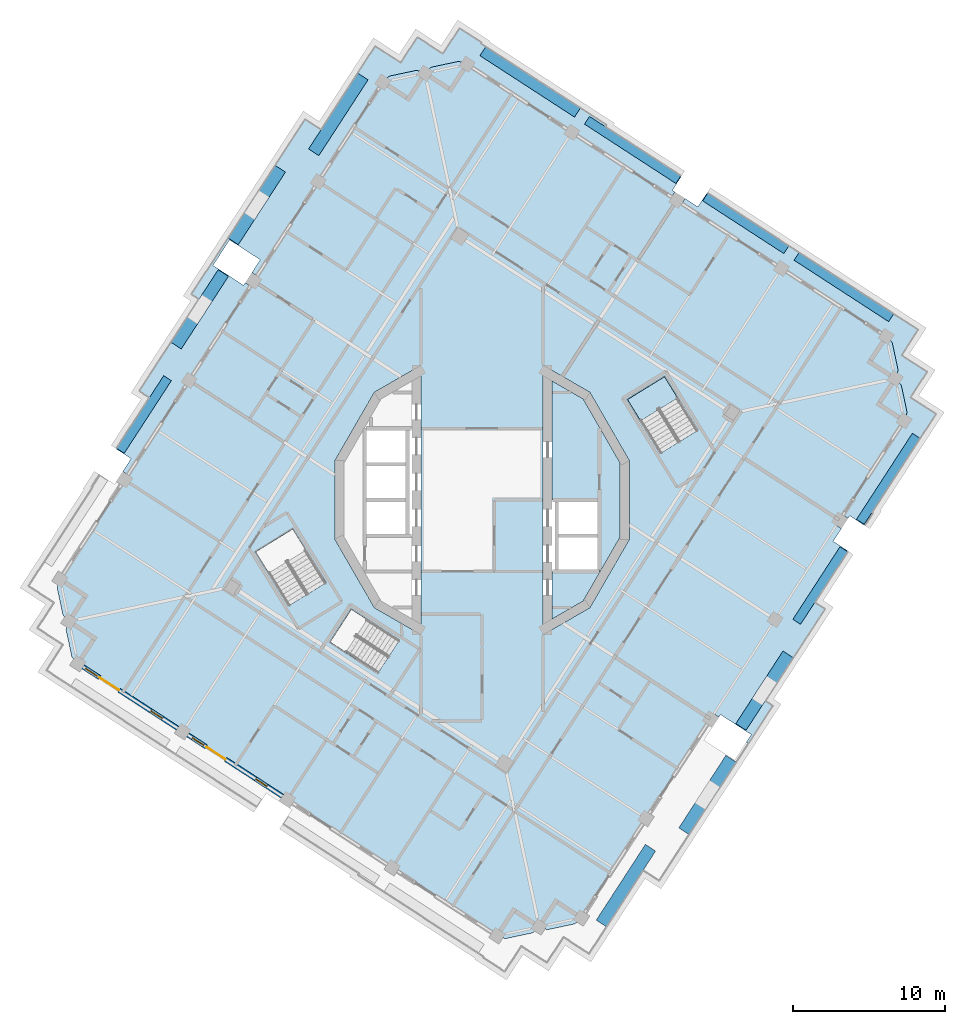
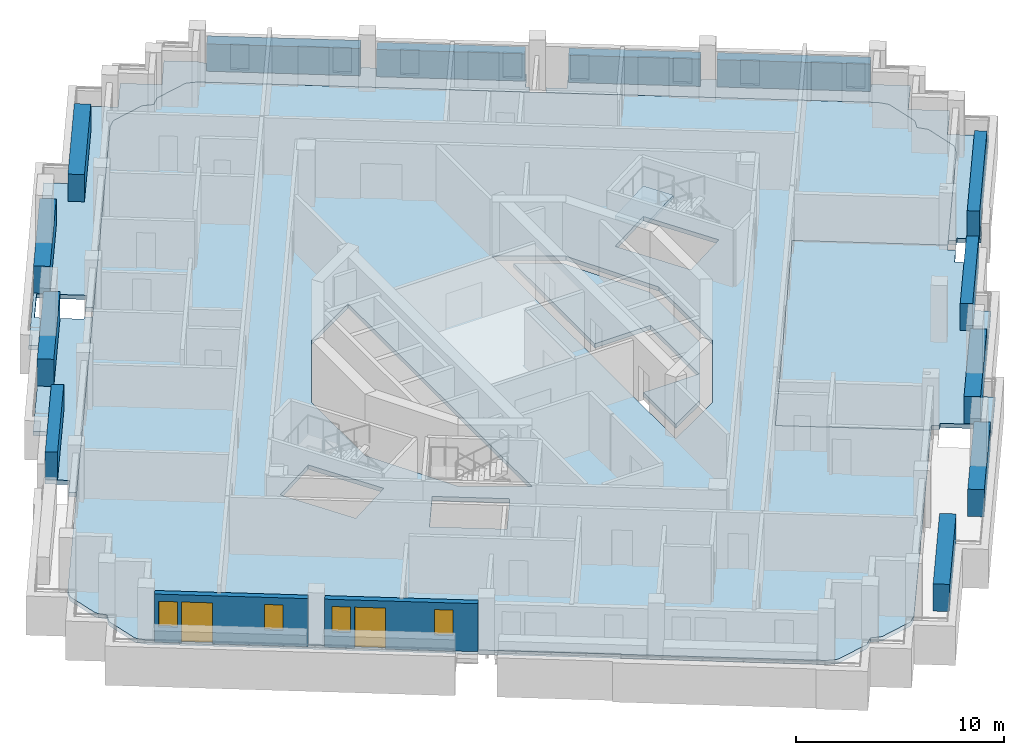
# One storey, part 3 of 15: 13 plates, 6 slabs, 4 windows, 2 doors, 2 walls, 6 openings, 1 element without a shape of its own.
"""IFC4 building model written with IfcOpenShell, lengths in metres."""

from ifc_helpers import new_model, si_unit, direction, frame, frame_2d, origin, origin_2d, place, context, subcontext, project, spatial, polyline, rectangle, outline, extrude, material, layer, layer_set, type_object, element, fill, aggregate, save


model = new_model("IFC4")

# Units and contexts
model_context = context("Model", 3, precision=1e-05, world=origin(), true_north=direction((0.0, 1.0)))
body_context = subcontext(model_context, "Body", "Model", "MODEL_VIEW")
ifc_project = project(units=[si_unit("LENGTHUNIT", "METRE"), si_unit("AREAUNIT", "SQUARE_METRE"), si_unit("VOLUMEUNIT", "CUBIC_METRE"), si_unit("PLANEANGLEUNIT", "RADIAN"), si_unit("MASSUNIT", "GRAM", prefix="KILO")], contexts=[model_context])

# Site, building, storey
site_placement = place(None, origin())
site = spatial("IfcSite", under=ifc_project, at=site_placement, CompositionType="ELEMENT")
building_placement = place(site_placement, origin())
building = spatial("IfcBuilding", under=site, at=building_placement, Name="Cantera Rosa Tower", CompositionType="ELEMENT")
storey_placement = place(building_placement, frame((0.0, 0.0, 261.300048828125)))
storey = spatial("IfcBuildingStorey", under=building, at=storey_placement, Name="L58", CompositionType="ELEMENT", Elevation=261.300048828125)

# Slabs
ifc_material_1 = material(Name="Concrete C35/45", Category="concrete")
ifc_layer_1 = layer(ifc_material_1, 0.25)
ifc_layer_set_1 = layer_set([ifc_layer_1], Name="COMPOSITE FLOOR SLAB 250 C35/45")
slab_type_1 = type_object("IfcSlabType", Name="COMPOSITE FLOOR SLAB 250 C35/45", PredefinedType="FLOOR", material=ifc_layer_set_1)
slab_1_placement = place(storey_placement, frame((0.0, 0.0, -0.25)))
element("IfcSlab", 1, at=slab_1_placement, inside=storey, type_object=slab_type_1, Name="SLAB L58 floor 2", PredefinedType="FLOOR", context=body_context, shape_type="SweptSolid", body=[
    extrude(outline(polyline([(0.106689453125, -28.030029296875), (-25.650146484375, -11.303466796875), (-26.52587890625, -10.734619140625), (-26.852783203125, -10.396240234375), (-26.873046875, -10.374755859375), (-26.890869140625, -10.351318359375), (-26.90625, -10.326416015625), (-26.919189453125, -10.2998046875), (-26.929443359375, -10.272216796875), (-26.93701171875, -10.243896484375), (-27.289794921875, -8.583740234375), (-27.294677734375, -8.5546875), (-27.29638671875, -8.525390625), (-27.29541015625, -8.49609375), (-27.29150390625, -8.466796875), (-27.28466796875, -8.43798828125), (-27.275146484375, -8.410400390625), (-27.114013671875, -7.968017578125), (-27.44091796875, -7.629638671875), (-27.461181640625, -7.608154296875), (-27.47900390625, -7.584716796875), (-27.494384765625, -7.559814453125), (-27.50732421875, -7.533203125), (-27.517578125, -7.505615234375), (-27.525146484375, -7.477294921875), (-27.8779296875, -5.817138671875), (-27.882568359375, -5.7880859375), (-27.884521484375, -5.7587890625), (-27.88330078125, -5.729248046875), (-27.87939453125, -5.7001953125), (-27.872802734375, -5.67138671875), (-27.863037109375, -5.643798828125), (-27.7021484375, -5.201416015625), (-27.13330078125, -4.32568359375), (-7.08447265625, 26.547119140625), (-6.515625, 27.4228515625), (-6.17724609375, 27.749755859375), (-6.15576171875, 27.769775390625), (-6.132080078125, 27.78759765625), (-6.107177734375, 27.802978515625), (-6.080810546875, 27.81591796875), (-6.05322265625, 27.826416015625), (-6.024658203125, 27.833740234375), (-4.36474609375, 28.186767578125), (-4.335693359375, 28.19140625), (-4.306396484375, 28.193115234375), (-4.27685546875, 28.192138671875), (-4.247802734375, 28.188232421875), (-4.218994140625, 28.181396484375), (-4.191162109375, 28.171875), (-3.7490234375, 28.0107421875), (-3.41064453125, 28.337890625), (-3.388916015625, 28.35791015625), (-3.365478515625, 28.375732421875), (-3.340576171875, 28.39111328125), (-3.314208984375, 28.404052734375), (-3.28662109375, 28.414306640625), (-3.258056640625, 28.421875), (-1.59814453125, 28.774658203125), (-1.569091796875, 28.779296875), (-1.539794921875, 28.78125), (-1.51025390625, 28.7802734375), (-1.481201171875, 28.7763671875), (-1.452392578125, 28.76953125), (-1.424560546875, 28.760009765625), (-0.982421875, 28.598876953125), (-0.106689453125, 28.030029296875), (25.650146484375, 11.303466796875), (26.52587890625, 10.734619140625), (26.852783203125, 10.396240234375), (26.873046875, 10.374755859375), (26.890869140625, 10.351318359375), (26.90625, 10.326416015625), (26.919189453125, 10.2998046875), (26.929443359375, 10.272216796875), (26.93701171875, 10.243896484375), (27.289794921875, 8.583740234375), (27.294677734375, 8.5546875), (27.29638671875, 8.525390625), (27.29541015625, 8.49609375), (27.29150390625, 8.466796875), (27.28466796875, 8.43798828125), (27.275146484375, 8.410400390625), (27.114013671875, 7.968017578125), (27.44091796875, 7.629638671875), (27.461181640625, 7.608154296875), (27.47900390625, 7.584716796875), (27.494384765625, 7.559814453125), (27.50732421875, 7.533203125), (27.517578125, 7.505615234375), (27.525146484375, 7.477294921875), (27.8779296875, 5.817138671875), (27.882568359375, 5.7880859375), (27.884521484375, 5.7587890625), (27.88330078125, 5.729248046875), (27.87939453125, 5.7001953125), (27.872802734375, 5.67138671875), (27.863037109375, 5.643798828125), (27.7021484375, 5.201416015625), (27.13330078125, 4.32568359375), (23.46484375, -1.323486328125), (17.1748046875, 2.761474609375), (8.7001953125, -10.288330078125), (14.990234375, -14.373046875), (7.08447265625, -26.547119140625), (6.515625, -27.4228515625), (6.17724609375, -27.749755859375), (6.15576171875, -27.769775390625), (6.132080078125, -27.78759765625), (6.107177734375, -27.802978515625), (6.080810546875, -27.81591796875), (6.05322265625, -27.826416015625), (6.024658203125, -27.833740234375), (4.36474609375, -28.186767578125), (4.335693359375, -28.19140625), (4.306396484375, -28.193115234375), (4.27685546875, -28.192138671875), (4.247802734375, -28.188232421875), (4.218994140625, -28.181396484375), (4.191162109375, -28.171875), (3.7490234375, -28.0107421875), (3.41064453125, -28.337890625), (3.388916015625, -28.35791015625), (3.365478515625, -28.375732421875), (3.340576171875, -28.39111328125), (3.314208984375, -28.404052734375), (3.28662109375, -28.414306640625), (3.258056640625, -28.421875), (1.59814453125, -28.774658203125), (1.569091796875, -28.779296875), (1.539794921875, -28.78125), (1.51025390625, -28.7802734375), (1.481201171875, -28.7763671875), (1.452392578125, -28.76953125), (1.424560546875, -28.760009765625), (0.982421875, -28.598876953125), (0.106689453125, -28.030029296875)]), holes=[polyline([(-9.97021484375, -9.3212890625), (-6.835205078125, -11.357177734375), (-5.4462890625, -9.218505859375), (-8.581298828125, -7.1826171875), (-9.97021484375, -9.3212890625)]), polyline([(-14.8564453125, -3.407470703125), (-12.68408203125, -6.929443359375), (-10.258544921875, -5.433349609375), (-12.430908203125, -1.911376953125), (-14.8564453125, -3.407470703125)]), polyline([(-9.6591796875, -2.588134765625), (-7.071044921875, -7.071044921875), (-4.0, -8.843994140625), (-4.0, 8.843994140625), (-7.071044921875, 7.071044921875), (-9.6591796875, 2.588134765625), (-9.6591796875, -2.588134765625)]), polyline([(9.6591796875, 2.588134765625), (7.071044921875, 7.071044921875), (4.0, 8.843994140625), (4.0, -8.843994140625), (7.071044921875, -7.071044921875), (9.6591796875, -2.588134765625), (9.6591796875, 2.588134765625)]), polyline([(11.96923828125, 8.088623046875), (9.54345703125, 6.592529296875), (11.7158203125, 3.070556640625), (14.1416015625, 4.566650390625), (11.96923828125, 8.088623046875)])]), origin(), (0.0, 0.0, 1.0), 0.25),
])
slab_2_placement = place(storey_placement, frame((0.0, 0.0, -0.25)))
element("IfcSlab", 2, at=slab_2_placement, inside=storey, type_object=slab_type_1, Name="SLAB L58 floor 3", PredefinedType="FLOOR", context=body_context, shape_type="SweptSolid", body=[
    extrude(outline(polyline([(4.60009765625, 0.0), (4.60009765625, 7.804931640625), (6.6318359375, 6.6318359375), (9.059326171875, 2.427490234375), (9.059326171875, -2.427490234375), (6.6318359375, -6.6318359375), (4.60009765625, -7.804931640625), (4.60009765625, -4.699951171875), (7.699951171875, -4.699951171875), (7.699951171875, -2.35009765625), (7.699951171875, 0.0), (4.60009765625, 0.0)])), origin(), (0.0, 0.0, 1.0), 0.25),
])
ifc_material_2 = material(Name="Concrete C35/45", Category="concrete")
ifc_layer_2 = layer(ifc_material_2, 0.25)
ifc_layer_set_2 = layer_set([ifc_layer_2], Name="LOGGIA SLAB 250 C35/45")
slab_type_2 = type_object("IfcSlabType", Name="LOGGIA SLAB 250 C35/45", PredefinedType="FLOOR", material=ifc_layer_set_2)
slab_3_placement = place(storey_placement, frame((0.0, 0.0, -0.25)))
element("IfcSlab", 3, at=slab_3_placement, inside=storey, type_object=slab_type_2, Name="LOGGIA SLAB L58 2", PredefinedType="FLOOR", context=body_context, shape_type="SweptSolid", body=[
    extrude(outline(polyline([(-11.619873046875, 24.976318359375), (-10.572998046875, 24.29638671875), (-7.94140625, 28.3486328125), (-7.015380859375, 29.7744140625), (-5.58984375, 28.848388671875), (-5.338134765625, 28.68505859375), (-5.1748046875, 28.936767578125), (-4.248779296875, 30.362548828125), (-2.822998046875, 29.4365234375), (-2.571533203125, 29.273193359375), (-1.482421875, 30.950439453125), (-0.056396484375, 30.024658203125), (-0.0947265625, 29.9658203125), (8.1494140625, 24.612060546875), (8.07861328125, 24.503173828125), (12.330810546875, 21.74169921875), (13.08544921875, 21.251708984375), (12.486328125, 20.3291015625), (12.654296875, 20.22021484375), (12.436279296875, 19.884765625), (-0.106689453125, 28.030029296875), (-0.982421875, 28.598876953125), (-1.424560546875, 28.760009765625), (-1.452392578125, 28.76953125), (-1.481201171875, 28.7763671875), (-1.51025390625, 28.7802734375), (-1.539794921875, 28.78125), (-1.569091796875, 28.779296875), (-1.59814453125, 28.774658203125), (-3.258056640625, 28.421875), (-3.28662109375, 28.414306640625), (-3.314208984375, 28.404052734375), (-3.340576171875, 28.39111328125), (-3.365478515625, 28.375732421875), (-3.388916015625, 28.35791015625), (-3.41064453125, 28.337890625), (-3.7490234375, 28.0107421875), (-4.191162109375, 28.171875), (-4.218994140625, 28.181396484375), (-4.247802734375, 28.188232421875), (-4.27685546875, 28.192138671875), (-4.306396484375, 28.193115234375), (-4.335693359375, 28.19140625), (-4.36474609375, 28.186767578125), (-6.024658203125, 27.833740234375), (-6.05322265625, 27.826416015625), (-6.080810546875, 27.81591796875), (-6.107177734375, 27.802978515625), (-6.132080078125, 27.78759765625), (-6.15576171875, 27.769775390625), (-6.17724609375, 27.749755859375), (-6.515625, 27.4228515625), (-7.08447265625, 26.547119140625), (-14.7724609375, 14.70849609375), (-15.10791015625, 14.926513671875), (-14.563232421875, 15.76513671875), (-16.575927734375, 17.072265625), (-17.665283203125, 15.39501953125), (-15.652587890625, 14.087646484375), (-15.543701171875, 14.255615234375), (-15.2080078125, 14.03759765625), (-23.2470703125, 1.65869140625), (-23.58251953125, 1.876708984375), (-23.037841796875, 2.71533203125), (-24.020263671875, 3.353515625), (-21.831298828125, 6.72412109375), (-22.493408203125, 7.154052734375), (-18.575927734375, 13.186279296875), (-19.068603515625, 13.506103515625), (-11.619873046875, 24.976318359375)])), origin(), (0.0, 0.0, 1.0), 0.25),
])
slab_4_placement = place(storey_placement, frame((0.0, 0.0, -0.25)))
element("IfcSlab", 4, at=slab_4_placement, inside=storey, type_object=slab_type_2, Name="LOGGIA SLAB L58 4", PredefinedType="FLOOR", context=body_context, shape_type="SweptSolid", body=[
    extrude(outline(polyline([(28.600830078125, 11.17578125), (27.783935546875, 9.917724609375), (27.51171875, 9.49853515625), (27.930908203125, 9.22607421875), (29.18896484375, 8.4091796875), (28.3720703125, 7.151123046875), (28.099609375, 6.731689453125), (28.51904296875, 6.45947265625), (29.777099609375, 5.642578125), (28.960205078125, 4.384521484375), (25.57861328125, -0.822509765625), (25.638671875, -0.861328125), (25.109619140625, -1.676025390625), (24.127197265625, -1.0380859375), (24.01806640625, -1.205810546875), (23.6826171875, -0.98779296875), (27.13330078125, 4.32568359375), (27.7021484375, 5.201416015625), (27.863037109375, 5.643798828125), (27.872802734375, 5.67138671875), (27.87939453125, 5.7001953125), (27.88330078125, 5.729248046875), (27.884521484375, 5.7587890625), (27.882568359375, 5.7880859375), (27.8779296875, 5.817138671875), (27.525146484375, 7.477294921875), (27.517578125, 7.505615234375), (27.50732421875, 7.533203125), (27.494384765625, 7.559814453125), (27.47900390625, 7.584716796875), (27.461181640625, 7.608154296875), (27.44091796875, 7.629638671875), (27.114013671875, 7.968017578125), (27.275146484375, 8.410400390625), (27.28466796875, 8.43798828125), (27.29150390625, 8.466796875), (27.29541015625, 8.49609375), (27.29638671875, 8.525390625), (27.294677734375, 8.5546875), (27.289794921875, 8.583740234375), (26.93701171875, 10.243896484375), (26.929443359375, 10.272216796875), (26.919189453125, 10.2998046875), (26.90625, 10.326416015625), (26.890869140625, 10.351318359375), (26.873046875, 10.374755859375), (26.852783203125, 10.396240234375), (26.52587890625, 10.734619140625), (25.650146484375, 11.303466796875), (13.107421875, 19.448974609375), (13.3251953125, 19.784423828125), (14.163818359375, 19.23974609375), (14.762939453125, 20.162353515625), (14.8466796875, 20.10791015625), (19.207763671875, 17.275634765625), (21.723876953125, 15.641845703125), (27.343017578125, 11.992919921875), (28.600830078125, 11.17578125)])), origin(), (0.0, 0.0, 1.0), 0.25),
])

# Plates
ifc_material_3 = material(Name="Cantera stone planter with soil", Category="masonry")
plate_type_1 = type_object("IfcPlateType", Name="PLANTER 600", PredefinedType="USERDEFINED", material=ifc_material_3)
plate_1_placement = place(storey_placement, frame((23.740966796875, 13.97412109375, 0.0), z_axis=(0.0, 0.0, 1.0), x_axis=(-0.838670567945, 0.544639035015, 0.0)))
element("IfcPlate", 5, at=plate_1_placement, inside=storey, type_object=plate_type_1, Name="PLANTER L58-01", ObjectType="PLANTER", PredefinedType="USERDEFINED", context=body_context, shape_type="SweptSolid", body=[
    extrude(rectangle(XDim=7.39990234375, YDim=0.60009765625, at=origin_2d()), origin(), (0.0, 0.0, 1.0), 1.60009765625),
])
plate_2_placement = place(storey_placement, frame((17.30419921875, 18.154296875, 0.0), z_axis=(0.0, 0.0, 1.0), x_axis=(-0.838670567945, 0.544639035015, 0.0)))
element("IfcPlate", 6, at=plate_2_placement, inside=storey, type_object=plate_type_1, Name="PLANTER L58-02", ObjectType="PLANTER", PredefinedType="USERDEFINED", context=body_context, shape_type="SweptSolid", body=[
    extrude(rectangle(XDim=6.35009765625, YDim=0.60009765625, at=origin_2d()), origin(), (0.0, 0.0, 1.0), 1.60009765625),
])
plate_3_placement = place(storey_placement, frame((9.882080078125, 22.974365234375, 0.0), z_axis=(0.0, 0.0, 1.0), x_axis=(-0.838670567945, 0.544639035015, 0.0)))
element("IfcPlate", 7, at=plate_3_placement, inside=storey, type_object=plate_type_1, Name="PLANTER L58-03", ObjectType="PLANTER", PredefinedType="USERDEFINED", context=body_context, shape_type="SweptSolid", body=[
    extrude(rectangle(XDim=7.14990234375, YDim=0.60009765625, at=origin_2d()), origin(), (0.0, 0.0, 1.0), 1.60009765625),
])
for number, where, z_axis, x_axis, name in (
    (8, (-22.194580078125, 5.61376953125, 0.0), (0.0, 0.0, 1.0), (-0.544639035015, -0.838670567945, 0.0), "PLANTER L58-08"),
    (9, (22.194580078125, -5.61376953125, 0.0), (0.0, 0.0, 1.0), (0.544639035015, 0.838670567945, 0.0), "PLANTER L58-17"),
):
    element("IfcPlate", number, at=place(storey_placement, frame(where, z_axis=z_axis, x_axis=x_axis)), inside=storey, type_object=plate_type_1, Name=name, ObjectType="PLANTER", PredefinedType="USERDEFINED", context=body_context, shape_type="SweptSolid", body=[
        extrude(rectangle(XDim=5.679931640625, YDim=0.60009765625, at=origin_2d()), origin(), (0.0, 0.0, 1.0), 1.60009765625),
    ])
plate_4_placement = place(storey_placement, frame((26.657958984375, 1.390380859375, 0.0), z_axis=(0.0, 0.0, 1.0), x_axis=(0.544639035015, 0.838670567945, 0.0)))
element("IfcPlate", 10, at=plate_4_placement, inside=storey, type_object=plate_type_1, Name="PLANTER L58-18", ObjectType="PLANTER", PredefinedType="USERDEFINED", context=body_context, shape_type="SweptSolid", body=[
    extrude(rectangle(XDim=6.72998046875, YDim=0.60009765625, at=origin_2d()), origin(), (0.0, 0.0, 1.0), 1.60009765625),
])
ifc_material_4 = material(Name="Cantera stone planter with soil", Category="masonry")
plate_type_2 = type_object("IfcPlateType", Name="PLANTER 700", PredefinedType="USERDEFINED", material=ifc_material_4)
plate_5_placement = place(storey_placement, frame((3.1533203125, 27.439453125, 0.0), z_axis=(0.0, 0.0, 1.0), x_axis=(-0.838670567945, 0.544639035015, 0.0)))
element("IfcPlate", 11, at=plate_5_placement, inside=storey, type_object=plate_type_2, Name="PLANTER L58-04", ObjectType="PLANTER", PredefinedType="USERDEFINED", context=body_context, shape_type="SweptSolid", body=[
    extrude(rectangle(XDim=7.39990234375, YDim=0.699951171875, at=origin_2d()), origin(), (0.0, 0.0, 1.0), 1.60009765625),
])
ifc_material_5 = material(Name="Cantera stone planter with soil", Category="masonry")
plate_type_3 = type_object("IfcPlateType", Name="PLANTER 800", PredefinedType="USERDEFINED", material=ifc_material_5)
plate_6_placement = place(storey_placement, frame((-9.438720703125, 25.30859375, 0.0), z_axis=(0.0, 0.0, 1.0), x_axis=(-0.544639035015, -0.838670567945, 0.0)))
element("IfcPlate", 12, at=plate_6_placement, inside=storey, type_object=plate_type_3, Name="PLANTER L58-05", ObjectType="PLANTER", PredefinedType="USERDEFINED", context=body_context, shape_type="SweptSolid", body=[
    extrude(rectangle(XDim=5.929931640625, YDim=0.800048828125, at=origin_2d()), origin(), (0.0, 0.0, 1.0), 1.60009765625),
])
for number, where, z_axis, x_axis, name in (
    (13, (-14.790771484375, 19.35888671875, 0.0), (0.0, 0.0, 1.0), (-0.544639035015, -0.838670567945, 0.0), "PLANTER L58-06"),
    (14, (-18.53564453125, 12.51416015625, 0.0), (0.0, 0.0, 1.0), (-0.544639035015, -0.838670567945, 0.0), "PLANTER L58-07"),
):
    element("IfcPlate", number, at=place(storey_placement, frame(where, z_axis=z_axis, x_axis=x_axis)), inside=storey, type_object=plate_type_3, Name=name, ObjectType="PLANTER", PredefinedType="USERDEFINED", context=body_context, shape_type="SweptSolid", body=[
        extrude(rectangle(XDim=5.679931640625, YDim=0.800048828125, at=origin_2d()), origin(), (0.0, 0.0, 1.0), 1.60009765625),
    ])
plate_7_placement = place(storey_placement, frame((9.438720703125, -25.30859375, 0.0), z_axis=(0.0, 0.0, 1.0), x_axis=(0.544639035015, 0.838670567945, 0.0)))
element("IfcPlate", 15, at=plate_7_placement, inside=storey, type_object=plate_type_3, Name="PLANTER L58-14", ObjectType="PLANTER", PredefinedType="USERDEFINED", context=body_context, shape_type="SweptSolid", body=[
    extrude(rectangle(XDim=5.929931640625, YDim=0.800048828125, at=origin_2d()), origin(), (0.0, 0.0, 1.0), 1.60009765625),
])
for number, where, z_axis, x_axis, name in (
    (16, (14.790771484375, -19.35888671875, 0.0), (0.0, 0.0, 1.0), (0.544639035015, 0.838670567945, 0.0), "PLANTER L58-15"),
    (17, (18.53564453125, -12.51416015625, 0.0), (0.0, 0.0, 1.0), (0.544639035015, 0.838670567945, 0.0), "PLANTER L58-16"),
):
    element("IfcPlate", number, at=place(storey_placement, frame(where, z_axis=z_axis, x_axis=x_axis)), inside=storey, type_object=plate_type_3, Name=name, ObjectType="PLANTER", PredefinedType="USERDEFINED", context=body_context, shape_type="SweptSolid", body=[
        extrude(rectangle(XDim=5.679931640625, YDim=0.800048828125, at=origin_2d()), origin(), (0.0, 0.0, 1.0), 1.60009765625),
    ])

# Stair, slab
ifc_material_6 = material(Name="Concrete C35/45", Category="concrete")
stair_type = type_object("IfcStairType", Name="EXIT STAIR 1350 DOGLEG", PredefinedType="HALF_TURN_STAIR", material=ifc_material_6)
stair_placement = place(storey_placement, origin())
stair = element("IfcStair", 18, at=stair_placement, inside=storey, type_object=stair_type, Name="L58 ST-51", PredefinedType="HALF_TURN_STAIR")
ifc_material_7 = material(Name="Concrete C35/45", Category="concrete")
ifc_layer_3 = layer(ifc_material_7, 0.199951171875)
ifc_layer_set_3 = layer_set([ifc_layer_3], Name="STAIR LANDING 200")
slab_type_3 = type_object("IfcSlabType", Name="STAIR LANDING 200", PredefinedType="LANDING", material=ifc_layer_set_3)
slab_5_placement = place(storey_placement, frame((0.0, 0.0, 1.599853515625)))
slab_5 = element("IfcSlab", 19, at=slab_5_placement, type_object=slab_type_3, Name="ST-51 landing 1", PredefinedType="LANDING", context=body_context, shape_type="SweptSolid", body=[
    extrude(outline(polyline([(12.8310546875, 6.691162109375), (11.96923828125, 8.088623046875), (9.54345703125, 6.592529296875), (10.405517578125, 5.19482421875), (12.8310546875, 6.691162109375)])), origin(), (0.0, 0.0, 1.0), 0.2001953125),
])
aggregate(stair, [slab_5])

# Slab
ifc_material_8 = material(Name="Concrete C35/45", Category="concrete")
ifc_layer_4 = layer(ifc_material_8, 0.25)
ifc_layer_set_4 = layer_set([ifc_layer_4], Name="TERRACE SLAB 250 C35/45")
slab_type_4 = type_object("IfcSlabType", Name="TERRACE SLAB 250 C35/45", PredefinedType="FLOOR", material=ifc_layer_set_4)
slab_6_placement = place(storey_placement, frame((0.0, 0.0, -0.25)))
element("IfcSlab", 20, at=slab_6_placement, inside=storey, type_object=slab_type_4, Name="TERRACE SLAB L58 1", PredefinedType="FLOOR", context=body_context, shape_type="SweptSolid", body=[
    extrude(outline(polyline([(15.2080078125, -14.03759765625), (14.990234375, -14.373046875), (8.7001953125, -10.288330078125), (17.1748046875, 2.761474609375), (23.46484375, -1.323486328125), (23.2470703125, -1.65869140625), (23.58251953125, -1.876708984375), (23.037841796875, -2.71533203125), (24.020263671875, -3.353515625), (21.831298828125, -6.72412109375), (22.493408203125, -7.154052734375), (18.575927734375, -13.186279296875), (19.068603515625, -13.506103515625), (17.462890625, -15.978759765625), (17.33837890625, -15.898193359375), (17.665283203125, -15.39501953125), (15.652587890625, -14.087646484375), (15.543701171875, -14.255615234375), (15.2080078125, -14.03759765625)])), origin(), (0.0, 0.0, 1.0), 0.25),
])

# Wall, openings, windows, door
ifc_material_9 = material(Name="Hollow clay masonry with cantera stone cladding", Category="masonry")
ifc_layer_5 = layer(ifc_material_9, 0.300048828125)
ifc_layer_set_5 = layer_set([ifc_layer_5], Name="EW-LOGGIA 300 H2820")
wall_type = type_object("IfcWallType", Name="EW-LOGGIA 300 H2820", PredefinedType="SOLIDWALL", material=ifc_layer_set_5)
wall_1_placement = place(storey_placement, frame((-26.1904296875, -10.95263671875, 0.0), z_axis=(0.0, 0.0, 1.0), x_axis=(0.838669679097, -0.544640403719, 0.0)))
wall_1 = element("IfcWall", 21, at=wall_1_placement, inside=storey, type_object=wall_type, Name="EN-L58-W14", PredefinedType="SOLIDWALL", context=body_context, shape_type="SweptSolid", body=[
    extrude(rectangle(XDim=7.39990234375, YDim=0.300048828125, at=frame_2d((3.699951171875, 0.0))), origin(), (0.0, 0.0, 1.0), 2.820068359375),
])
opening_1_placement = place(wall_1_placement, frame((0.199951171875, 0.0, 0.89990234375)))
opening_1 = element("IfcOpeningElement", 22, at=opening_1_placement, cuts=wall_1, Name="Opening L58-W28", PredefinedType="OPENING", context=body_context, shape_type="SweptSolid", body=[
    extrude(rectangle(XDim=0.89990234375, YDim=1.5, at=frame_2d((0.449951171875, 0.75))), frame((0.0, 0.159912109375, 0.0), z_axis=(0.0, -1.0, 0.0), x_axis=(1.0, 0.0, 0.0)), (0.0, 0.0, 1.0), 0.320068359375),
])
opening_2_placement = place(wall_1_placement, frame((1.300048828125, 0.0, 0.0)))
opening_2 = element("IfcOpeningElement", 23, at=opening_2_placement, cuts=wall_1, Name="Opening L58-TD29", PredefinedType="OPENING", context=body_context, shape_type="SweptSolid", body=[
    extrude(rectangle(XDim=1.5, YDim=2.39990234375, at=frame_2d((0.75, 1.199951171875))), frame((0.0, 0.159912109375, 0.0), z_axis=(0.0, -1.0, 0.0), x_axis=(1.0, 0.0, 0.0)), (0.0, 0.0, 1.0), 0.320068359375),
])
opening_3_placement = place(wall_1_placement, frame((5.300048828125, 0.0, 0.89990234375)))
opening_3 = element("IfcOpeningElement", 24, at=opening_3_placement, cuts=wall_1, Name="Opening L58-W30", PredefinedType="OPENING", context=body_context, shape_type="SweptSolid", body=[
    extrude(rectangle(XDim=0.89990234375, YDim=1.5, at=frame_2d((0.449951171875, 0.75))), frame((0.0, 0.159912109375, 0.0), z_axis=(0.0, -1.0, 0.0), x_axis=(1.0, 0.0, 0.0)), (0.0, 0.0, 1.0), 0.320068359375),
])
ifc_material_10 = material(Name="Aluminium frame with clear glass", Category="aluminium")
window_type = type_object("IfcWindowType", Name="Residential window 900x1500", PartitioningType="SINGLE_PANEL", PredefinedType="WINDOW", material=ifc_material_10)
window_1_placement = place(opening_1_placement, origin())
window_1 = element("IfcWindow", 25, at=window_1_placement, inside=storey, type_object=window_type, Name="WINDOW L58-W28", OverallHeight=1.5, OverallWidth=0.89990234375, PartitioningType="SINGLE_PANEL", PredefinedType="WINDOW", context=body_context, shape_type="SweptSolid", body=[
    extrude(rectangle(XDim=0.89990234375, YDim=1.5, at=frame_2d((0.449951171875, 0.75))), frame((0.0, 0.030029296875, 0.0), z_axis=(0.0, -1.0, 0.0), x_axis=(1.0, 0.0, 0.0)), (0.0, 0.0, 1.0), 0.06005859375),
])
fill(opening_1, window_1)
window_2_placement = place(opening_3_placement, origin())
window_2 = element("IfcWindow", 26, at=window_2_placement, inside=storey, type_object=window_type, Name="WINDOW L58-W30", OverallHeight=1.5, OverallWidth=0.89990234375, PartitioningType="SINGLE_PANEL", PredefinedType="WINDOW", context=body_context, shape_type="SweptSolid", body=[
    extrude(rectangle(XDim=0.89990234375, YDim=1.5, at=frame_2d((0.449951171875, 0.75))), frame((0.0, 0.030029296875, 0.0), z_axis=(0.0, -1.0, 0.0), x_axis=(1.0, 0.0, 0.0)), (0.0, 0.0, 1.0), 0.06005859375),
])
fill(opening_3, window_2)
ifc_material_11 = material(Name="Aluminium frame with clear glass", Category="aluminium")
door_type = type_object("IfcDoorType", Name="TD-R 1500x2400", OperationType="NOTDEFINED", PredefinedType="DOOR", material=ifc_material_11)
door_1_placement = place(opening_2_placement, origin())
door_1 = element("IfcDoor", 27, at=door_1_placement, inside=storey, type_object=door_type, Name="LOGGIA DOOR L58-TD29", OperationType="SLIDING_TO_LEFT", OverallHeight=2.39990234375, OverallWidth=1.5, PredefinedType="DOOR", context=body_context, shape_type="SweptSolid", body=[
    extrude(rectangle(XDim=1.5, YDim=2.39990234375, at=frame_2d((0.75, 1.199951171875))), frame((0.0, 0.02490234375, 0.0), z_axis=(0.0, -1.0, 0.0), x_axis=(1.0, 0.0, 0.0)), (0.0, 0.0, 1.0), 0.050048828125),
])
fill(opening_2, door_1)

wall_2_placement = place(storey_placement, frame((-19.3134765625, -15.418701171875, 0.0), z_axis=(0.0, 0.0, 1.0), x_axis=(0.838679465365, -0.544625333946, 0.0)))
wall_2 = element("IfcWall", 28, at=wall_2_placement, inside=storey, type_object=wall_type, Name="EN-L58-W15", PredefinedType="SOLIDWALL", context=body_context, shape_type="SweptSolid", body=[
    extrude(rectangle(XDim=7.400146484375, YDim=0.300048828125, at=frame_2d((3.7001953125, 0.0))), origin(), (0.0, 0.0, 1.0), 2.820068359375),
])
opening_4_placement = place(wall_2_placement, frame((0.35009765625, 0.0, 0.89990234375)))
opening_4 = element("IfcOpeningElement", 29, at=opening_4_placement, cuts=wall_2, Name="Opening L58-W31", PredefinedType="OPENING", context=body_context, shape_type="SweptSolid", body=[
    extrude(rectangle(XDim=0.89990234375, YDim=1.5, at=frame_2d((0.449951171875, 0.75))), frame((0.0, 0.159912109375, 0.0), z_axis=(0.0, -1.0, 0.0), x_axis=(1.0, 0.0, 0.0)), (0.0, 0.0, 1.0), 0.320068359375),
])
opening_5_placement = place(wall_2_placement, frame((1.449951171875, 0.0, 0.0)))
opening_5 = element("IfcOpeningElement", 30, at=opening_5_placement, cuts=wall_2, Name="Opening L58-TD32", PredefinedType="OPENING", context=body_context, shape_type="SweptSolid", body=[
    extrude(rectangle(XDim=1.5, YDim=2.39990234375, at=frame_2d((0.75, 1.199951171875))), frame((0.0, 0.159912109375, 0.0), z_axis=(0.0, -1.0, 0.0), x_axis=(1.0, 0.0, 0.0)), (0.0, 0.0, 1.0), 0.320068359375),
])
opening_6_placement = place(wall_2_placement, frame((5.300048828125, 0.0, 0.89990234375)))
opening_6 = element("IfcOpeningElement", 31, at=opening_6_placement, cuts=wall_2, Name="Opening L58-W33", PredefinedType="OPENING", context=body_context, shape_type="SweptSolid", body=[
    extrude(rectangle(XDim=0.89990234375, YDim=1.5, at=frame_2d((0.449951171875, 0.75))), frame((0.0, 0.159912109375, 0.0), z_axis=(0.0, -1.0, 0.0), x_axis=(1.0, 0.0, 0.0)), (0.0, 0.0, 1.0), 0.320068359375),
])
window_3_placement = place(opening_4_placement, origin())
window_3 = element("IfcWindow", 32, at=window_3_placement, inside=storey, type_object=window_type, Name="WINDOW L58-W31", OverallHeight=1.5, OverallWidth=0.89990234375, PartitioningType="SINGLE_PANEL", PredefinedType="WINDOW", context=body_context, shape_type="SweptSolid", body=[
    extrude(rectangle(XDim=0.89990234375, YDim=1.5, at=frame_2d((0.449951171875, 0.75))), frame((0.0, 0.030029296875, 0.0), z_axis=(0.0, -1.0, 0.0), x_axis=(1.0, 0.0, 0.0)), (0.0, 0.0, 1.0), 0.06005859375),
])
fill(opening_4, window_3)
window_4_placement = place(opening_6_placement, origin())
window_4 = element("IfcWindow", 33, at=window_4_placement, inside=storey, type_object=window_type, Name="WINDOW L58-W33", OverallHeight=1.5, OverallWidth=0.89990234375, PartitioningType="SINGLE_PANEL", PredefinedType="WINDOW", context=body_context, shape_type="SweptSolid", body=[
    extrude(rectangle(XDim=0.89990234375, YDim=1.5, at=frame_2d((0.449951171875, 0.75))), frame((0.0, 0.030029296875, 0.0), z_axis=(0.0, -1.0, 0.0), x_axis=(1.0, 0.0, 0.0)), (0.0, 0.0, 1.0), 0.06005859375),
])
fill(opening_6, window_4)
door_2_placement = place(opening_5_placement, origin())
door_2 = element("IfcDoor", 34, at=door_2_placement, inside=storey, type_object=door_type, Name="LOGGIA DOOR L58-TD32", OperationType="SLIDING_TO_LEFT", OverallHeight=2.39990234375, OverallWidth=1.5, PredefinedType="DOOR", context=body_context, shape_type="SweptSolid", body=[
    extrude(rectangle(XDim=1.5, YDim=2.39990234375, at=frame_2d((0.75, 1.199951171875))), frame((0.0, 0.02490234375, 0.0), z_axis=(0.0, -1.0, 0.0), x_axis=(1.0, 0.0, 0.0)), (0.0, 0.0, 1.0), 0.050048828125),
])
fill(opening_5, door_2)

save(model, "model.ifc")
